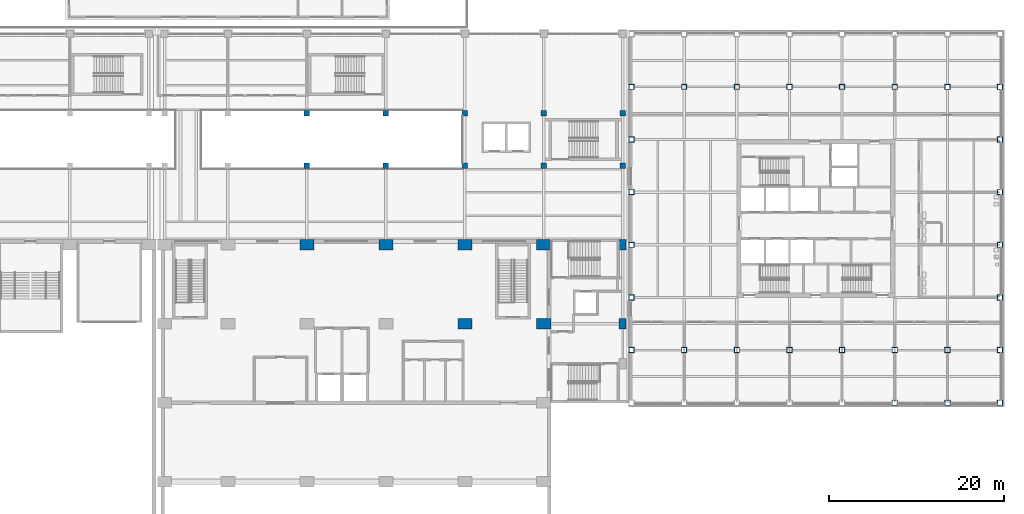
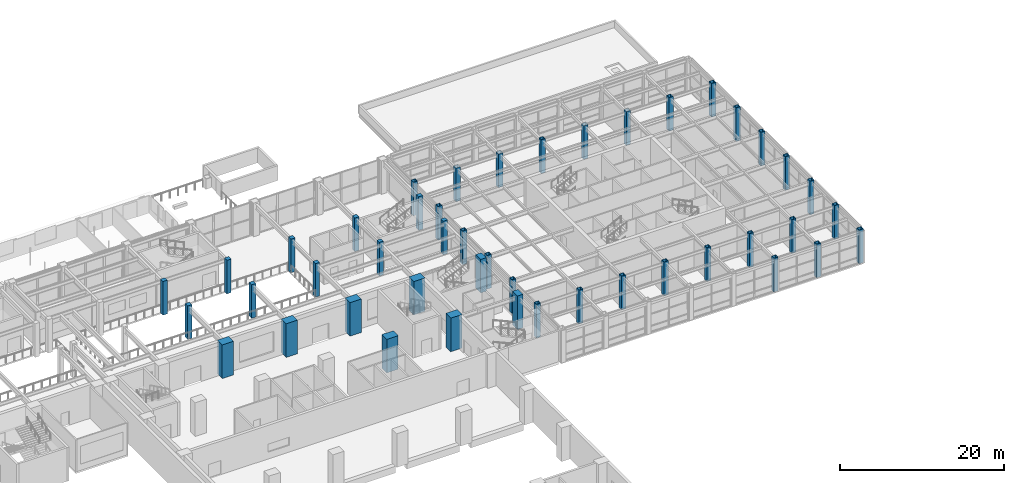
# One storey, part 4 of 67: 45 columns.
"""IFC4 building model written with IfcOpenShell, lengths in metres."""

import ifcopenshell
import ifcopenshell.guid

model = None  # the IFC model being written
_history = None  # IfcOwnerHistory: only IFC2X3 demands one
_inside = {}  # id of a spatial element -> (the spatial element, [elements in it])
_under = {}  # id of a project, library or spatial element -> (it, [spatial elements below it])
_declared = {}  # id of a project -> (the project, [libraries it declares])
_typed = {}  # id of a type object -> (the type object, [elements of that type])
_made_of = {}  # id of a material, layer set ... -> (it, [elements and type objects made of it])


def new_model(schema):
    """Start an empty IFC model of exactly this schema.

    Asked for "IFC4X3", IfcOpenShell would pick the latest addendum, in which some entities
    have other attributes; the version numbers below select the first issue.
    IFC2X3 requires an IfcOwnerHistory on every rooted entity: one is made here for all.
    """
    global model, _history
    if schema == "IFC4X3":
        model = ifcopenshell.file(schema_version=(4, 3, 0, 0))
    else:
        model = ifcopenshell.file(schema=schema)
    _inside.clear()
    _under.clear()
    _declared.clear()
    _typed.clear()
    _made_of.clear()
    _history = None
    if model.schema == "IFC2X3":
        org = make("IfcOrganization", Name="unknown")
        user = make(
            "IfcPersonAndOrganization",
            ThePerson=make("IfcPerson", FamilyName="unknown"),
            TheOrganization=org,
        )
        app = make(
            "IfcApplication",
            ApplicationDeveloper=org,
            Version="unknown",
            ApplicationFullName="unknown",
            ApplicationIdentifier="unknown",
        )
        _history = make(
            "IfcOwnerHistory",
            OwningUser=user,
            OwningApplication=app,
            ChangeAction="ADDED",
            CreationDate=0,
        )
    return model


def make(cls, **values):
    """One entity of the class cls with the attributes given. An attribute that is None is left unset."""
    return model.create_entity(
        cls, **{name: value for name, value in values.items() if value is not None}
    )


def rooted(cls, **values):
    """An entity with a GlobalId (a new one), such as an element, a storey or a relation."""
    return make(cls, GlobalId=ifcopenshell.guid.new(), OwnerHistory=_history, **values)


def si_unit(unit_type, name, prefix=None):
    """IfcSIUnit, for example si_unit("LENGTHUNIT", "METRE", prefix="MILLI")."""
    return make("IfcSIUnit", UnitType=unit_type, Prefix=prefix, Name=name)


def assignment(units):
    """IfcUnitAssignment: the units of a project."""
    return None if units is None else make("IfcUnitAssignment", Units=units)


def point(xyz):
    """IfcCartesianPoint."""
    return None if xyz is None else make("IfcCartesianPoint", Coordinates=xyz)


def direction(xyz):
    """IfcDirection."""
    return None if xyz is None else make("IfcDirection", DirectionRatios=xyz)


def frame(location, z_axis=None, x_axis=None):
    """IfcAxis2Placement3D, a coordinate frame: its origin and axes. An axis left out is left unset."""
    return make(
        "IfcAxis2Placement3D",
        Location=point(location),
        Axis=direction(z_axis),
        RefDirection=direction(x_axis),
    )


def frame_2d(location, x_axis=None):
    """IfcAxis2Placement2D, a coordinate frame in the plane: its origin and x axis."""
    return make(
        "IfcAxis2Placement2D", Location=point(location), RefDirection=direction(x_axis)
    )


def origin():
    """The frame at (0, 0, 0) with its axes left unset."""
    return frame((0.0, 0.0, 0.0))


def origin_2d():
    """The frame at (0, 0) in the plane with its x axis left unset."""
    return frame_2d((0.0, 0.0))


def place(relative_to, where):
    """IfcLocalPlacement: puts the frame where relative to a parent placement (None: the world)."""
    return make(
        "IfcLocalPlacement", PlacementRelTo=relative_to, RelativePlacement=where
    )


def context(
    kind, dimensions, precision=None, world=None, true_north=None, identifier=None
):
    """IfcGeometricRepresentationContext, for example the 3D "Model" context."""
    return make(
        "IfcGeometricRepresentationContext",
        ContextIdentifier=identifier,
        ContextType=kind,
        CoordinateSpaceDimension=dimensions,
        Precision=precision,
        WorldCoordinateSystem=world,
        TrueNorth=true_north,
    )


def subcontext(parent, identifier, kind, view, scale=None):
    """IfcGeometricRepresentationSubContext, for example "Body" below "Model"."""
    return make(
        "IfcGeometricRepresentationSubContext",
        ContextIdentifier=identifier,
        ContextType=kind,
        ParentContext=parent,
        TargetScale=scale,
        TargetView=view,
    )


def project(units=None, contexts=None):
    """IfcProject with its units and contexts."""
    return rooted(
        "IfcProject",
        Name="project",
        RepresentationContexts=contexts,
        UnitsInContext=assignment(units),
    )


def spatial(cls, under=None, at=None, **own):
    """A site, building, storey or space (cls), placed at a placement, below another one or the project."""
    s = rooted(cls, ObjectPlacement=at, **own)
    if under is not None:
        _under.setdefault(under.id(), (under, []))[1].append(s)
    return s


def profile(cls, at=None, kind="AREA", **sizes):
    """A parametric profile (cls). Its sizes go by their IFC names, for example OverallWidth=200.0."""
    return make(cls, ProfileType=kind, Position=at, **sizes)


def rectangle(**sizes):
    """IfcRectangleProfileDef."""
    return profile("IfcRectangleProfileDef", **sizes)


def hollow_rectangle(**sizes):
    """IfcRectangleHollowProfileDef."""
    return profile("IfcRectangleHollowProfileDef", **sizes)


def extrude(swept, where, along, depth):
    """IfcExtrudedAreaSolid: the profile swept, set in the frame where, extruded along a direction by depth."""
    return make(
        "IfcExtrudedAreaSolid",
        SweptArea=swept,
        Position=where,
        ExtrudedDirection=direction(along),
        Depth=depth,
    )


def shape(context_of_items, identifier, shape_type, items):
    """IfcShapeRepresentation: the items that make up one representation, for example the "Body"."""
    return make(
        "IfcShapeRepresentation",
        ContextOfItems=context_of_items,
        RepresentationIdentifier=identifier,
        RepresentationType=shape_type,
        Items=items,
    )


def material(Name=None, Category=None):
    """IfcMaterial."""
    return make("IfcMaterial", Name=Name, Category=Category)


def material_profile(
    of_material, cross_section, Name=None, Category=None, Priority=None
):
    """IfcMaterialProfile: a cross section and its material."""
    return make(
        "IfcMaterialProfile",
        Name=Name,
        Material=of_material,
        Profile=cross_section,
        Priority=Priority,
        Category=Category,
    )


def profile_set(profiles, Name=None, composite=None):
    """IfcMaterialProfileSet."""
    return make(
        "IfcMaterialProfileSet",
        Name=Name,
        MaterialProfiles=profiles,
        CompositeProfile=composite,
    )


def made_of(thing, what):
    """Note that an element or type object is made of a material, layer set ...; save() writes the relation."""
    if what is not None:
        _made_of.setdefault(what.id(), (what, []))[1].append(thing)
    return thing


def type_object(cls, material=None, **own):
    """A type object (cls), such as IfcWallType, which elements share."""
    return made_of(rooted(cls, **own), material)


def element(
    cls,
    number,
    at=None,
    inside=None,
    cuts=None,
    type_object=None,
    material=None,
    context=None,
    identifier="Body",
    shape_type=None,
    held_by="IfcProductDefinitionShape",
    body=None,
    shapes=None,
    **own,
):
    """One element of the class cls, such as IfcWall. Its Tag is "e" and its number.

    at: its placement. inside: the storey or other place that contains it. cuts: it is an
    opening in that element (IfcRelVoidsElement). A single representation is given by context,
    identifier, shape_type and body (its items); several are given by shapes. held_by: the class
    of the entity that holds the representations. save() writes the other relations.
    """
    e = rooted(cls, Tag="e%d" % number, ObjectPlacement=at, **own)
    if body is not None:
        shapes = [shape(context, identifier, shape_type, body)]
    if shapes is not None:
        e.Representation = make(held_by, Representations=shapes)
    if inside is not None:
        _inside.setdefault(inside.id(), (inside, []))[1].append(e)
    if cuts is not None:
        rooted(
            "IfcRelVoidsElement", RelatingBuildingElement=cuts, RelatedOpeningElement=e
        )
    if type_object is not None:
        _typed.setdefault(type_object.id(), (type_object, []))[1].append(e)
    return made_of(e, material)


def aggregate(whole, parts):
    """IfcRelAggregates: a whole, such as a stair, and the parts it consists of."""
    return rooted("IfcRelAggregates", RelatingObject=whole, RelatedObjects=parts)


def save(model, path):
    """Write the relations noted so far, then the file.

    IfcRelAggregates (storeys below a building ...), IfcRelContainedInSpatialStructure (elements
    in a storey), IfcRelDefinesByType, IfcRelAssociatesMaterial and IfcRelDeclares: one each for
    every whole, place, type object, material and project.
    """
    for whole, parts in _under.values():
        aggregate(whole, parts)
    for where, things in _inside.values():
        rooted(
            "IfcRelContainedInSpatialStructure",
            RelatedElements=things,
            RelatingStructure=where,
        )
    for kind, things in _typed.values():
        rooted("IfcRelDefinesByType", RelatedObjects=things, RelatingType=kind)
    for what, things in _made_of.values():
        rooted("IfcRelAssociatesMaterial", RelatedObjects=things, RelatingMaterial=what)
    for by, libraries in _declared.values():
        rooted("IfcRelDeclares", RelatingContext=by, RelatedDefinitions=libraries)
    model.write(path)


model = new_model("IFC4")

# Units and contexts
model_context = context("Model", 3, precision=1e-05, world=origin(), true_north=direction((0.0, 1.0)))
body_context = subcontext(model_context, "Body", "Model", "MODEL_VIEW")
ifc_project = project(units=[si_unit("LENGTHUNIT", "METRE"), si_unit("AREAUNIT", "SQUARE_METRE"), si_unit("VOLUMEUNIT", "CUBIC_METRE"), si_unit("PLANEANGLEUNIT", "RADIAN"), si_unit("MASSUNIT", "GRAM", prefix="KILO")], contexts=[model_context])

# Site, building, storey
site_placement = place(None, origin())
site = spatial("IfcSite", under=ifc_project, at=site_placement, CompositionType="ELEMENT")
building_placement = place(site_placement, origin())
building = spatial("IfcBuilding", under=site, at=building_placement, Name="Aravalli Gate Trade Fair Centre", CompositionType="ELEMENT")
storey_placement = place(building_placement, frame((0.0, 0.0, 5.0)))
storey = spatial("IfcBuildingStorey", under=building, at=storey_placement, Name="L01", CompositionType="ELEMENT", Elevation=5.0)

# Columns
ifc_material_1 = material(Name="Concrete M45", Category="concrete")
ifc_material_profile_1 = material_profile(ifc_material_1, rectangle(XDim=1.60009765625, YDim=1.199951171875, at=origin_2d()), Name="RC 1600x1200")
ifc_profile_set_1 = profile_set([ifc_material_profile_1], Name="Concrete M45")
column_type_1 = type_object("IfcColumnType", Name="Congress RC column 1600 x 1200", PredefinedType="COLUMN", material=ifc_profile_set_1)
for number, where, z_axis, x_axis, name in (
    (1, (150.0, 100.0, 0.0), (0.0, 0.0, 1.0), (1.0, 0.0, 0.0), "Congress column 150.0/100 L01"),
    (2, (123.0, 109.0, 0.0), (0.0, 0.0, 1.0), (1.0, 0.0, 0.0), "Congress column 123.0/109 L01"),
    (3, (132.0, 109.0, 0.0), (0.0, 0.0, 1.0), (1.0, 0.0, 0.0), "Congress column 132.0/109 L01"),
    (4, (141.0, 109.0, 0.0), (0.0, 0.0, 1.0), (1.0, 0.0, 0.0), "Congress column 141.0/109 L01"),
    (5, (150.0, 109.0, 0.0), (0.0, 0.0, 1.0), (1.0, 0.0, 0.0), "Congress column 150.0/109 L01"),
):
    element("IfcColumn", number, at=place(storey_placement, frame(where, z_axis=z_axis, x_axis=x_axis)), inside=storey, type_object=column_type_1, Name=name, PredefinedType="COLUMN", context=body_context, shape_type="SweptSolid", body=[
        extrude(rectangle(XDim=1.60009765625, YDim=1.199951171875, at=origin_2d()), origin(), (0.0, 0.0, 1.0), 5.0),
    ])
ifc_material_profile_2 = material_profile(ifc_material_1, rectangle(XDim=1.60009765625, YDim=1.199951171875, at=origin_2d()), Name="RC 1600x1200")
ifc_profile_set_2 = profile_set([ifc_material_profile_2], Name="Concrete M45")
column_type_2 = type_object("IfcColumnType", Name="Congress RC column 1600 x 1200, heavy stack", PredefinedType="COLUMN", material=ifc_profile_set_2)
column_placement = place(storey_placement, frame((141.0, 100.0, 0.0), z_axis=(0.0, 0.0, 1.0), x_axis=(1.0, 0.0, 0.0)))
element("IfcColumn", 6, at=column_placement, inside=storey, type_object=column_type_2, Name="Congress column 141.0/100 L01", PredefinedType="COLUMN", context=body_context, shape_type="SweptSolid", body=[
    extrude(rectangle(XDim=1.60009765625, YDim=1.199951171875, at=origin_2d()), origin(), (0.0, 0.0, 1.0), 5.0),
])
ifc_material_2 = material(Name="Concrete M50", Category="concrete")
ifc_material_profile_3 = material_profile(ifc_material_2, rectangle(XDim=0.800048828125, YDim=1.199951171875, at=origin_2d()), Name="Link column 800 x 1200")
ifc_profile_set_3 = profile_set([ifc_material_profile_3], Name="Concrete M50")
column_type_3 = type_object("IfcColumnType", Name="Link column 800 x 1200", PredefinedType="COLUMN", material=ifc_profile_set_3)
for number, where, z_axis, x_axis, name in (
    (7, (159.0, 100.0, 0.0), (0.0, 0.0, 1.0), (1.0, 0.0, 0.0), "Link column EG L01"),
    (8, (159.0, 109.0, 0.0), (0.0, 0.0, 1.0), (1.0, 0.0, 0.0), "Link column EH L01"),
):
    element("IfcColumn", number, at=place(storey_placement, frame(where, z_axis=z_axis, x_axis=x_axis)), inside=storey, type_object=column_type_3, Name=name, PredefinedType="COLUMN", context=body_context, shape_type="SweptSolid", body=[
        extrude(rectangle(XDim=0.800048828125, YDim=1.199951171875, at=origin_2d()), origin(), (0.0, 0.0, 1.0), 5.0),
    ])
ifc_material_profile_4 = material_profile(ifc_material_1, rectangle(XDim=0.60009765625, YDim=0.60009765625, at=origin_2d()), Name="RC column 600 x 600")
ifc_profile_set_4 = profile_set([ifc_material_profile_4], Name="Concrete M45")
column_type_4 = type_object("IfcColumnType", Name="RC column 600 x 600", PredefinedType="COLUMN", material=ifc_profile_set_4)
for number, where, z_axis, x_axis, name in (
    (9, (123.0, 118.0, 0.0), (0.0, 0.0, 1.0), (1.0, 0.0, 0.0), "Concourse column S14 L01"),
    (10, (123.0, 124.0, 0.0), (0.0, 0.0, 1.0), (1.0, 0.0, 0.0), "Concourse column N14 L01"),
    (11, (132.0, 118.0, 0.0), (0.0, 0.0, 1.0), (1.0, 0.0, 0.0), "Concourse column S15 L01"),
    (12, (132.0, 124.0, 0.0), (0.0, 0.0, 1.0), (1.0, 0.0, 0.0), "Concourse column N15 L01"),
    (13, (141.0, 118.0, 0.0), (0.0, 0.0, 1.0), (1.0, 0.0, 0.0), "Concourse column S16 L01"),
    (14, (141.0, 124.0, 0.0), (0.0, 0.0, 1.0), (1.0, 0.0, 0.0), "Concourse column N16 L01"),
    (15, (150.0, 118.0, 0.0), (0.0, 0.0, 1.0), (1.0, 0.0, 0.0), "Concourse column S17 L01"),
    (16, (150.0, 124.0, 0.0), (0.0, 0.0, 1.0), (1.0, 0.0, 0.0), "Concourse column N17 L01"),
    (17, (159.0, 118.0, 0.0), (0.0, 0.0, 1.0), (1.0, 0.0, 0.0), "Concourse column SE L01"),
    (18, (159.0, 124.0, 0.0), (0.0, 0.0, 1.0), (1.0, 0.0, 0.0), "Concourse column NE L01"),
):
    element("IfcColumn", number, at=place(storey_placement, frame(where, z_axis=z_axis, x_axis=x_axis)), inside=storey, type_object=column_type_4, Name=name, PredefinedType="COLUMN", context=body_context, shape_type="SweptSolid", body=[
        extrude(rectangle(XDim=0.60009765625, YDim=0.60009765625, at=origin_2d()), origin(), (0.0, 0.0, 1.0), 5.0),
    ])
ifc_material_3 = material(Name="Steel E350", Category="steel")
ifc_material_profile_5 = material_profile(ifc_material_3, hollow_rectangle(XDim=0.60009765625, YDim=0.60009765625, WallThickness=0.0400390625, at=origin_2d()), Name="BOX 600x600x40")
ifc_profile_set_5 = profile_set([ifc_material_profile_5], Name="Steel E350")
column_type_5 = type_object("IfcColumnType", Name="Wing box column 600 x 600 x 40", PredefinedType="COLUMN", material=ifc_profile_set_5)
for number, where, z_axis, x_axis, name in (
    (19, (160.0, 97.0, 0.0), (0.0, 0.0, 1.0), (1.0, 0.0, 0.0), "Wing column 18/T1 L01"),
    (20, (160.0, 103.0, 0.0), (0.0, 0.0, 1.0), (1.0, 0.0, 0.0), "Wing column 18/T2 L01"),
    (21, (160.0, 109.0, 0.0), (0.0, 0.0, 1.0), (1.0, 0.0, 0.0), "Wing column 18/H L01"),
    (22, (160.0, 115.0, 0.0), (0.0, 0.0, 1.0), (1.0, 0.0, 0.0), "Wing column 18/T3 L01"),
    (23, (160.0, 121.0, 0.0), (0.0, 0.0, 1.0), (1.0, 0.0, 0.0), "Wing column 18/J L01"),
    (24, (160.0, 127.0, 0.0), (0.0, 0.0, 1.0), (1.0, 0.0, 0.0), "Wing column 18/T4 L01"),
    (25, (190.0, 91.0, 0.0), (0.0, 0.0, 1.0), (1.0, 0.0, 0.0), "Wing column 23/F L01"),
    (26, (196.0, 91.0, 0.0), (0.0, 0.0, 1.0), (1.0, 0.0, 0.0), "Wing column 24/F L01"),
    (27, (202.0, 91.0, 0.0), (0.0, 0.0, 1.0), (1.0, 0.0, 0.0), "Wing column 25/F L01"),
    (28, (202.0, 97.0, 0.0), (0.0, 0.0, 1.0), (1.0, 0.0, 0.0), "Wing column 25/T1 L01"),
    (29, (202.0, 103.0, 0.0), (0.0, 0.0, 1.0), (1.0, 0.0, 0.0), "Wing column 25/T2 L01"),
    (30, (202.0, 109.0, 0.0), (0.0, 0.0, 1.0), (1.0, 0.0, 0.0), "Wing column 25/H L01"),
    (31, (202.0, 115.0, 0.0), (0.0, 0.0, 1.0), (1.0, 0.0, 0.0), "Wing column 25/T3 L01"),
    (32, (202.0, 121.0, 0.0), (0.0, 0.0, 1.0), (1.0, 0.0, 0.0), "Wing column 25/J L01"),
    (33, (202.0, 127.0, 0.0), (0.0, 0.0, 1.0), (1.0, 0.0, 0.0), "Wing column 25/T4 L01"),
    (34, (166.0, 97.0, 0.0), (0.0, 0.0, 1.0), (1.0, 0.0, 0.0), "Wing column 19/T1 L01"),
    (35, (172.0, 97.0, 0.0), (0.0, 0.0, 1.0), (1.0, 0.0, 0.0), "Wing column 20/T1 L01"),
    (36, (178.0, 97.0, 0.0), (0.0, 0.0, 1.0), (1.0, 0.0, 0.0), "Wing column 21/T1 L01"),
    (37, (184.0, 97.0, 0.0), (0.0, 0.0, 1.0), (1.0, 0.0, 0.0), "Wing column 22/T1 L01"),
    (38, (190.0, 97.0, 0.0), (0.0, 0.0, 1.0), (1.0, 0.0, 0.0), "Wing column 23/T1 L01"),
    (39, (196.0, 97.0, 0.0), (0.0, 0.0, 1.0), (1.0, 0.0, 0.0), "Wing column 24/T1 L01"),
    (40, (166.0, 127.0, 0.0), (0.0, 0.0, 1.0), (1.0, 0.0, 0.0), "Wing column 19/T4 L01"),
    (41, (172.0, 127.0, 0.0), (0.0, 0.0, 1.0), (1.0, 0.0, 0.0), "Wing column 20/T4 L01"),
    (42, (178.0, 127.0, 0.0), (0.0, 0.0, 1.0), (1.0, 0.0, 0.0), "Wing column 21/T4 L01"),
    (43, (184.0, 127.0, 0.0), (0.0, 0.0, 1.0), (1.0, 0.0, 0.0), "Wing column 22/T4 L01"),
    (44, (190.0, 127.0, 0.0), (0.0, 0.0, 1.0), (1.0, 0.0, 0.0), "Wing column 23/T4 L01"),
    (45, (196.0, 127.0, 0.0), (0.0, 0.0, 1.0), (1.0, 0.0, 0.0), "Wing column 24/T4 L01"),
):
    element("IfcColumn", number, at=place(storey_placement, frame(where, z_axis=z_axis, x_axis=x_axis)), inside=storey, type_object=column_type_5, Name=name, PredefinedType="COLUMN", context=body_context, shape_type="SweptSolid", body=[
        extrude(hollow_rectangle(XDim=0.60009765625, YDim=0.60009765625, WallThickness=0.0400390625, at=origin_2d()), origin(), (0.0, 0.0, 1.0), 5.0),
    ])

save(model, "model.ifc")
